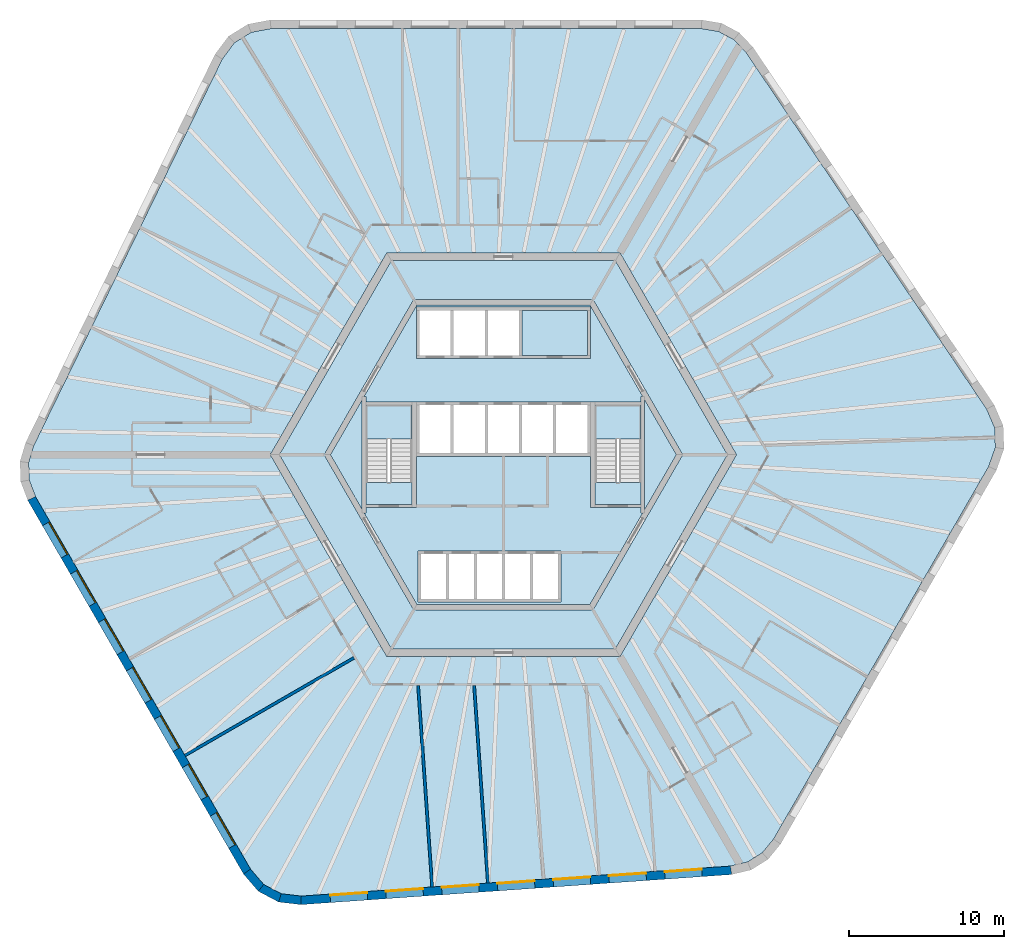
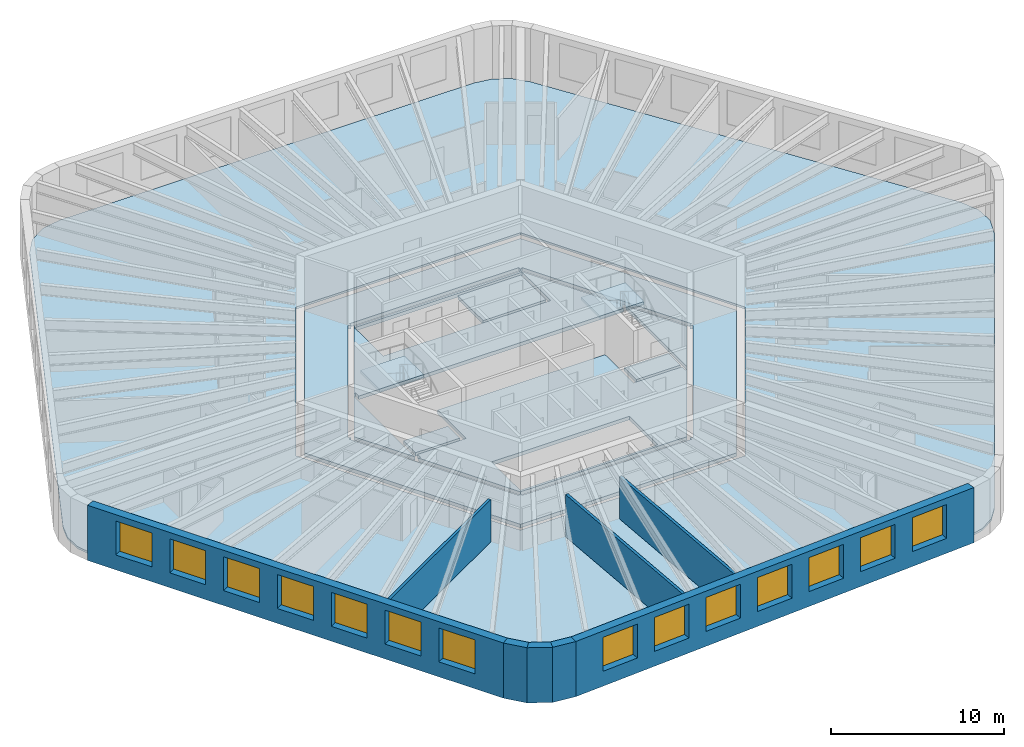
# One storey, part 2 of 10: 14 windows, 11 slabs, 8 walls, 14 openings, 2 elements without a shape of their own.
"""IFC4 building model written with IfcOpenShell, lengths in metres."""

from ifc_helpers import new_model, si_unit, direction, frame, frame_2d, origin, place, context, subcontext, project, spatial, polyline, rectangle, outline, extrude, material, layer, layer_set, type_object, element, fill, aggregate, save


model = new_model("IFC4")

# Units and contexts
model_context = context("Model", 3, precision=1e-05, world=origin(), true_north=direction((0.0, 1.0)))
body_context = subcontext(model_context, "Body", "Model", "MODEL_VIEW")
ifc_project = project(units=[si_unit("LENGTHUNIT", "METRE"), si_unit("AREAUNIT", "SQUARE_METRE"), si_unit("VOLUMEUNIT", "CUBIC_METRE"), si_unit("PLANEANGLEUNIT", "RADIAN"), si_unit("MASSUNIT", "GRAM", prefix="KILO")], contexts=[model_context])

# Site, building, storey
site_placement = place(None, origin())
site = spatial("IfcSite", under=ifc_project, at=site_placement, CompositionType="ELEMENT")
building_placement = place(site_placement, origin())
building = spatial("IfcBuilding", under=site, at=building_placement, Name="Tarnside Tower", CompositionType="ELEMENT")
storey_placement = place(building_placement, frame((0.0, 0.0, 230.699951171875)))
storey = spatial("IfcBuildingStorey", under=building, at=storey_placement, Name="L55", CompositionType="ELEMENT", Elevation=230.699951171875)

# Slabs
ifc_material_1 = material(Name="Concrete C35/45", Category="concrete")
ifc_layer_1 = layer(ifc_material_1, 0.14990234375)
ifc_layer_set_1 = layer_set([ifc_layer_1], Name="Composite floor slab 150")
slab_type_1 = type_object("IfcSlabType", Name="Composite floor slab 150", PredefinedType="FLOOR", material=ifc_layer_set_1)
slab_1_placement = place(storey_placement, frame((0.0, 0.0, -0.14990234375)))
element("IfcSlab", 1, at=slab_1_placement, inside=storey, type_object=slab_type_1, Name="Floor slab L55", PredefinedType="FLOOR", context=body_context, shape_type="SweptSolid", body=[
    extrude(outline(polyline([(13.864013671875, 27.264892578125), (14.85107421875, 26.740234375), (15.6337890625, 25.91064453125), (31.12890625, 2.938232421875), (31.644287109375, 1.7431640625), (31.68896484375, 0.468505859375), (31.258056640625, -0.759521484375), (17.403076171875, -24.7568359375), (16.68017578125, -25.63916015625), (15.732177734375, -26.2314453125), (14.622314453125, -26.494384765625), (-13.02001953125, -28.427490234375), (-14.3125, -28.2763671875), (-15.438720703125, -27.677490234375), (-16.286865234375, -26.6904296875), (-30.1416015625, -2.693115234375), (-30.544189453125, -1.6259765625), (-30.583251953125, -0.5087890625), (-30.256103515625, 0.583984375), (-18.10888671875, 25.4892578125), (-17.331787109375, 26.533203125), (-16.250244140625, 27.208984375), (-14.97119140625, 27.449951171875), (12.738525390625, 27.449951171875), (13.864013671875, 27.264892578125)]), holes=[polyline([(-15.010986328125, 0.0), (-7.505615234375, -13.0), (7.505615234375, -13.0), (15.010986328125, 0.0), (7.505615234375, 13.0), (-7.505615234375, 13.0), (-15.010986328125, 0.0)])]), origin(), (0.0, 0.0, 1.0), 0.14990234375),
])
ifc_material_2 = material(Name="Concrete C40/50", Category="concrete")
ifc_layer_2 = layer(ifc_material_2, 0.25)
ifc_layer_set_2 = layer_set([ifc_layer_2], Name="Core slab C40/50")
slab_type_2 = type_object("IfcSlabType", Name="Core slab C40/50", PredefinedType="FLOOR", material=ifc_layer_set_2)
slab_2_placement = place(storey_placement, frame((0.0, 0.0, -0.25)))
element("IfcSlab", 2, at=slab_2_placement, inside=storey, type_object=slab_type_2, Name="L55 core floor slab 1", PredefinedType="FLOOR", context=body_context, shape_type="SweptSolid", body=[
    extrude(outline(polyline([(-7.216796875, 12.5), (7.216796875, 12.5), (14.433837890625, 0.0), (7.216796875, -12.5), (-7.216796875, -12.5), (-14.433837890625, 0.0), (-7.216796875, 12.5)]), holes=[polyline([(5.823974609375, -9.91259765625), (11.49658203125, -0.08740234375), (11.344970703125, 0.0), (11.49658203125, 0.08740234375), (5.823974609375, 9.91259765625), (5.672607421875, 9.824951171875), (5.672607421875, 10.0), (-5.672607421875, 10.0), (-5.672607421875, 9.824951171875), (-5.823974609375, 9.91259765625), (-11.49658203125, 0.08740234375), (-11.344970703125, 0.0), (-11.49658203125, -0.08740234375), (-5.823974609375, -9.91259765625), (-5.672607421875, -9.824951171875), (-5.672607421875, -10.0), (5.672607421875, -10.0), (5.672607421875, -9.824951171875), (5.823974609375, -9.91259765625)])]), origin(), (0.0, 0.0, 1.0), 0.25),
])
slab_3_placement = place(storey_placement, frame((0.0, 0.0, -0.25)))
element("IfcSlab", 3, at=slab_3_placement, inside=storey, type_object=slab_type_2, Name="L55 core floor slab 2", PredefinedType="FLOOR", context=body_context, shape_type="SweptSolid", body=[
    extrude(outline(polyline([(-8.97509765625, 3.7548828125), (-5.5712890625, 9.64990234375), (5.5712890625, 9.64990234375), (8.97509765625, 3.7548828125), (8.85009765625, 3.7548828125), (8.85009765625, 3.39990234375), (5.89990234375, 3.39990234375), (5.60009765625, 3.39990234375), (5.60009765625, 3.39990234375), (-5.60009765625, 3.39990234375), (-5.89990234375, 3.39990234375), (-8.85009765625, 3.39990234375), (-8.85009765625, 3.7548828125), (-8.97509765625, 3.7548828125)]), holes=[polyline([(-5.60009765625, 6.199951171875), (5.60009765625, 6.199951171875), (5.60009765625, 6.39990234375), (5.60009765625, 9.300048828125), (5.60009765625, 9.5), (-5.60009765625, 9.5), (-5.60009765625, 9.300048828125), (-5.60009765625, 6.39990234375), (-5.60009765625, 6.199951171875)])]), origin(), (0.0, 0.0, 1.0), 0.25),
])
slab_4_placement = place(storey_placement, frame((0.0, 0.0, -0.25)))
element("IfcSlab", 4, at=slab_4_placement, inside=storey, type_object=slab_type_2, Name="L55 core floor slab 3", PredefinedType="FLOOR", context=body_context, shape_type="SweptSolid", body=[
    extrude(outline(polyline([(5.60009765625, -3.39990234375), (5.89990234375, -3.39990234375), (8.85009765625, -3.39990234375), (8.85009765625, -3.7548828125), (8.97509765625, -3.7548828125), (5.5712890625, -9.64990234375), (-5.5712890625, -9.64990234375), (-8.97509765625, -3.7548828125), (-8.85009765625, -3.7548828125), (-8.85009765625, -3.39990234375), (-5.89990234375, -3.39990234375), (-5.60009765625, -3.39990234375), (-5.60009765625, -0.10009765625), (5.60009765625, -0.10009765625), (5.60009765625, -3.39990234375)]), holes=[polyline([(-5.5, -9.300048828125), (-5.5, -9.5), (3.699951171875, -9.5), (3.699951171875, -9.300048828125), (3.699951171875, -6.39990234375), (3.699951171875, -6.199951171875), (-5.5, -6.199951171875), (-5.5, -6.39990234375), (-5.5, -9.300048828125)])]), origin(), (0.0, 0.0, 1.0), 0.25),
])
slab_5_placement = place(storey_placement, frame((0.0, 0.0, -0.25)))
element("IfcSlab", 5, at=slab_5_placement, inside=storey, type_object=slab_type_2, Name="L55 core floor slab 4", PredefinedType="FLOOR", context=body_context, shape_type="SweptSolid", body=[
    extrude(outline(polyline([(-11.142822265625, 0.0), (-9.10009765625, 3.538330078125), (-9.10009765625, -3.538330078125), (-11.142822265625, 0.0)])), origin(), (0.0, 0.0, 1.0), 0.25),
])
slab_6_placement = place(storey_placement, frame((0.0, 0.0, -0.25)))
element("IfcSlab", 6, at=slab_6_placement, inside=storey, type_object=slab_type_2, Name="L55 core floor slab 5", PredefinedType="FLOOR", context=body_context, shape_type="SweptSolid", body=[
    extrude(outline(polyline([(-8.85009765625, -1.800048828125), (-5.89990234375, -1.800048828125), (-5.89990234375, -3.199951171875), (-8.85009765625, -3.199951171875), (-8.85009765625, -1.800048828125)])), origin(), (0.0, 0.0, 1.0), 0.25),
])
slab_7_placement = place(storey_placement, frame((0.0, 0.0, -0.25)))
element("IfcSlab", 7, at=slab_7_placement, inside=storey, type_object=slab_type_2, Name="L55 core floor slab 6", PredefinedType="FLOOR", context=body_context, shape_type="SweptSolid", body=[
    extrude(outline(polyline([(5.89990234375, -3.199951171875), (5.89990234375, -1.800048828125), (8.85009765625, -1.800048828125), (8.85009765625, -3.199951171875), (5.89990234375, -3.199951171875)])), origin(), (0.0, 0.0, 1.0), 0.25),
])
slab_8_placement = place(storey_placement, frame((0.0, 0.0, -0.25)))
element("IfcSlab", 8, at=slab_8_placement, inside=storey, type_object=slab_type_2, Name="L55 core floor slab 7", PredefinedType="FLOOR", context=body_context, shape_type="SweptSolid", body=[
    extrude(outline(polyline([(9.10009765625, -3.538330078125), (9.10009765625, 3.538330078125), (11.142822265625, 0.0), (9.10009765625, -3.538330078125)])), origin(), (0.0, 0.0, 1.0), 0.25),
])
slab_9_placement = place(storey_placement, frame((0.0, 0.0, -0.25)))
element("IfcSlab", 9, at=slab_9_placement, inside=storey, type_object=slab_type_2, Name="L55 core floor slab 8", PredefinedType="FLOOR", context=body_context, shape_type="SweptSolid", body=[
    extrude(outline(polyline([(5.39990234375, 9.300048828125), (5.39990234375, 6.39990234375), (1.199951171875, 6.39990234375), (1.199951171875, 9.300048828125), (5.39990234375, 9.300048828125)])), origin(), (0.0, 0.0, 1.0), 0.25),
])

# Stair, slab
stair_type = type_object("IfcStairType", Name="Exit stair 1400 clear", PredefinedType="HALF_TURN_STAIR", material=ifc_material_2)
stair_1_placement = place(storey_placement, origin())
stair_1 = element("IfcStair", 10, at=stair_1_placement, inside=storey, type_object=stair_type, Name="L55 Exit stair 1", PredefinedType="HALF_TURN_STAIR")
ifc_layer_3 = layer(ifc_material_2, 0.199951171875)
ifc_layer_set_3 = layer_set([ifc_layer_3], Name="Stair landing 200 C40/50")
slab_type_3 = type_object("IfcSlabType", Name="Stair landing 200 C40/50", PredefinedType="LANDING", material=ifc_layer_set_3)
slab_10_placement = place(storey_placement, frame((0.0, 0.0, 1.75)))
slab_10 = element("IfcSlab", 11, at=slab_10_placement, type_object=slab_type_3, Name="ST1 landing 1", PredefinedType="LANDING", context=body_context, shape_type="SweptSolid", body=[
    extrude(outline(polyline([(8.85009765625, 1.0), (8.85009765625, 3.199951171875), (5.89990234375, 3.199951171875), (5.89990234375, 1.0), (8.85009765625, 1.0)])), origin(), (0.0, 0.0, 1.0), 0.199951171875),
])
aggregate(stair_1, [slab_10])

stair_2_placement = place(storey_placement, origin())
stair_2 = element("IfcStair", 12, at=stair_2_placement, inside=storey, type_object=stair_type, Name="L55 Exit stair 2", PredefinedType="HALF_TURN_STAIR")
slab_11_placement = place(storey_placement, frame((0.0, 0.0, 1.75)))
slab_11 = element("IfcSlab", 13, at=slab_11_placement, type_object=slab_type_3, Name="ST2 landing 1", PredefinedType="LANDING", context=body_context, shape_type="SweptSolid", body=[
    extrude(outline(polyline([(-5.89990234375, 1.0), (-5.89990234375, 3.199951171875), (-8.85009765625, 3.199951171875), (-8.85009765625, 1.0), (-5.89990234375, 1.0)])), origin(), (0.0, 0.0, 1.0), 0.199951171875),
])
aggregate(stair_2, [slab_11])

# Walls
ifc_material_3 = material(Name="Gypsum board partition on steel studs", Category="steel")
ifc_layer_4 = layer(ifc_material_3, 0.179931640625)
ifc_layer_set_4 = layer_set([ifc_layer_4], Name="Demising wall 180 EI 60")
wall_type_1 = type_object("IfcWallType", Name="Demising wall 180 EI 60", PredefinedType="PARTITIONING", material=ifc_layer_set_4)
wall_1_placement = place(storey_placement, frame((-20.513427734375, -19.36962890625, 0.0), z_axis=(0.0, 0.0, 1.0), x_axis=(0.866019402111, 0.500010395058, 0.0)))
element("IfcWall", 14, at=wall_1_placement, inside=storey, type_object=wall_type_1, Name="Demising wall 18081", PredefinedType="PARTITIONING", context=body_context, shape_type="SweptSolid", body=[
    extrude(rectangle(XDim=12.574951171875, YDim=0.179931640625, at=frame_2d((6.28759765625, 0.0))), origin(), (0.0, 0.0, 1.0), 2.98779296875),
])
wall_2_placement = place(storey_placement, frame((-4.587158203125, -27.837890625, 0.0), z_axis=(0.0, 0.0, 1.0), x_axis=(-0.069759577234, 0.997563833238, 0.0)))
element("IfcWall", 15, at=wall_2_placement, inside=storey, type_object=wall_type_1, Name="Demising wall 18082", PredefinedType="PARTITIONING", context=body_context, shape_type="SweptSolid", body=[
    extrude(rectangle(XDim=12.99462890625, YDim=0.179931640625, at=frame_2d((6.497314453125, 0.0))), origin(), (0.0, 0.0, 1.0), 2.98779296875),
])
wall_3_placement = place(storey_placement, frame((-0.99609375, -27.586669921875, 0.0), z_axis=(0.0, 0.0, 1.0), x_axis=(-0.069758774678, 0.99756388936, 0.0)))
element("IfcWall", 16, at=wall_3_placement, inside=storey, type_object=wall_type_1, Name="Demising wall 18083", PredefinedType="PARTITIONING", context=body_context, shape_type="SweptSolid", body=[
    extrude(rectangle(XDim=12.74267578125, YDim=0.179931640625, at=frame_2d((6.371337890625, 0.0))), origin(), (0.0, 0.0, 1.0), 2.98779296875),
])

# Wall, openings, windows
ifc_material_4 = material(Name="Facing brick", Category="masonry")
ifc_layer_5 = layer(ifc_material_4, 0.10205078125)
ifc_material_5 = material(Name="Concrete C60/75 precast", Category="concrete")
ifc_layer_6 = layer(ifc_material_5, 0.347900390625)
ifc_material_6 = material(Name="Mineral wool insulation")
ifc_layer_7 = layer(ifc_material_6, 0.10009765625)
ifc_layer_set_5 = layer_set([ifc_layer_5, ifc_layer_6, ifc_layer_7], Name="Tube wall 550 brick faced")
wall_type_2 = type_object("IfcWallType", Name="Tube wall 550 brick faced", PredefinedType="SOLIDWALL", material=ifc_layer_set_5)
wall_4_placement = place(storey_placement, frame((-30.39111328125, -2.81103515625, -0.14990234375), z_axis=(0.0, 0.0, 1.0), x_axis=(0.499998569178, -0.866026229868, 0.0)))
wall_4 = element("IfcWall", 17, at=wall_4_placement, inside=storey, type_object=wall_type_2, Name="Tube wall L55 F3 flush 08", PredefinedType="SOLIDWALL", context=body_context, shape_type="SweptSolid", body=[
    extrude(outline(polyline([(-0.0224609375, -0.27490234375), (27.783447265625, -0.27490234375), (27.732177734375, 0.27490234375), (0.0224609375, 0.27490234375), (-0.0224609375, -0.27490234375)])), origin(), (0.0, 0.0, 1.0), 3.89990234375),
])
opening_1_placement = place(wall_4_placement, frame((1.87890625, 0.0, 1.050048828125)))
opening_1 = element("IfcOpeningElement", 18, at=opening_1_placement, cuts=wall_4, Name="Opening WH", PredefinedType="OPENING", context=body_context, shape_type="SweptSolid", body=[
    extrude(rectangle(XDim=2.39990234375, YDim=2.39990234375, at=frame_2d((1.199951171875, 1.199951171875))), frame((0.0, 0.28515625, 0.0), z_axis=(0.0, -1.0, 0.0), x_axis=(1.0, 0.0, 0.0)), (0.0, 0.0, 1.0), 0.570068359375),
])
opening_2_placement = place(wall_4_placement, frame((5.47900390625, 0.0, 1.050048828125)))
opening_2 = element("IfcOpeningElement", 19, at=opening_2_placement, cuts=wall_4, Name="Opening WH", PredefinedType="OPENING", context=body_context, shape_type="SweptSolid", body=[
    extrude(rectangle(XDim=2.39990234375, YDim=2.39990234375, at=frame_2d((1.199951171875, 1.199951171875))), frame((0.0, 0.28515625, 0.0), z_axis=(0.0, -1.0, 0.0), x_axis=(1.0, 0.0, 0.0)), (0.0, 0.0, 1.0), 0.570068359375),
])
opening_3_placement = place(wall_4_placement, frame((9.078857421875, 0.0, 1.050048828125)))
opening_3 = element("IfcOpeningElement", 20, at=opening_3_placement, cuts=wall_4, Name="Opening WH", PredefinedType="OPENING", context=body_context, shape_type="SweptSolid", body=[
    extrude(rectangle(XDim=2.39990234375, YDim=2.39990234375, at=frame_2d((1.199951171875, 1.199951171875))), frame((0.0, 0.28515625, 0.0), z_axis=(0.0, -1.0, 0.0), x_axis=(1.0, 0.0, 0.0)), (0.0, 0.0, 1.0), 0.570068359375),
])
opening_4_placement = place(wall_4_placement, frame((12.678955078125, 0.0, 1.050048828125)))
opening_4 = element("IfcOpeningElement", 21, at=opening_4_placement, cuts=wall_4, Name="Opening WH", PredefinedType="OPENING", context=body_context, shape_type="SweptSolid", body=[
    extrude(rectangle(XDim=2.39990234375, YDim=2.39990234375, at=frame_2d((1.199951171875, 1.199951171875))), frame((0.0, 0.28515625, 0.0), z_axis=(0.0, -1.0, 0.0), x_axis=(1.0, 0.0, 0.0)), (0.0, 0.0, 1.0), 0.570068359375),
])
opening_5_placement = place(wall_4_placement, frame((16.27880859375, 0.0, 1.050048828125)))
opening_5 = element("IfcOpeningElement", 22, at=opening_5_placement, cuts=wall_4, Name="Opening WH", PredefinedType="OPENING", context=body_context, shape_type="SweptSolid", body=[
    extrude(rectangle(XDim=2.39990234375, YDim=2.39990234375, at=frame_2d((1.199951171875, 1.199951171875))), frame((0.0, 0.28515625, 0.0), z_axis=(0.0, -1.0, 0.0), x_axis=(1.0, 0.0, 0.0)), (0.0, 0.0, 1.0), 0.570068359375),
])
opening_6_placement = place(wall_4_placement, frame((19.87890625, 0.0, 1.050048828125)))
opening_6 = element("IfcOpeningElement", 23, at=opening_6_placement, cuts=wall_4, Name="Opening WH", PredefinedType="OPENING", context=body_context, shape_type="SweptSolid", body=[
    extrude(rectangle(XDim=2.39990234375, YDim=2.39990234375, at=frame_2d((1.199951171875, 1.199951171875))), frame((0.0, 0.28515625, 0.0), z_axis=(0.0, -1.0, 0.0), x_axis=(1.0, 0.0, 0.0)), (0.0, 0.0, 1.0), 0.570068359375),
])
opening_7_placement = place(wall_4_placement, frame((23.47900390625, 0.0, 1.050048828125)))
opening_7 = element("IfcOpeningElement", 24, at=opening_7_placement, cuts=wall_4, Name="Opening WH", PredefinedType="OPENING", context=body_context, shape_type="SweptSolid", body=[
    extrude(rectangle(XDim=2.39990234375, YDim=2.39990234375, at=frame_2d((1.199951171875, 1.199951171875))), frame((0.0, 0.28515625, 0.0), z_axis=(0.0, -1.0, 0.0), x_axis=(1.0, 0.0, 0.0)), (0.0, 0.0, 1.0), 0.570068359375),
])
ifc_material_7 = material(Name="Aluminium-framed double glazing", Category="aluminium")
window_type = type_object("IfcWindowType", Name="Hotel window 2400 x 2400", PartitioningType="DOUBLE_PANEL_VERTICAL", PredefinedType="WINDOW", material=ifc_material_7)
window_1_placement = place(opening_1_placement, frame((0.0, 0.205078125, 0.0)))
window_1 = element("IfcWindow", 25, at=window_1_placement, inside=storey, type_object=window_type, Name="E.WN.L55.F3.00", OverallHeight=2.39990234375, OverallWidth=2.39990234375, PartitioningType="DOUBLE_PANEL_VERTICAL", PredefinedType="WINDOW", context=body_context, shape_type="SweptSolid", body=[
    extrude(rectangle(XDim=2.39990234375, YDim=2.39990234375, at=frame_2d((1.199951171875, 1.199951171875))), frame((0.0, 0.030029296875, 0.0), z_axis=(0.0, -1.0, 0.0), x_axis=(1.0, 0.0, 0.0)), (0.0, 0.0, 1.0), 0.06005859375),
])
fill(opening_1, window_1)
window_2_placement = place(opening_2_placement, frame((0.0, 0.205078125, 0.0)))
window_2 = element("IfcWindow", 26, at=window_2_placement, inside=storey, type_object=window_type, Name="E.WN.L55.F3.01", OverallHeight=2.39990234375, OverallWidth=2.39990234375, PartitioningType="DOUBLE_PANEL_VERTICAL", PredefinedType="WINDOW", context=body_context, shape_type="SweptSolid", body=[
    extrude(rectangle(XDim=2.39990234375, YDim=2.39990234375, at=frame_2d((1.199951171875, 1.199951171875))), frame((0.0, 0.030029296875, 0.0), z_axis=(0.0, -1.0, 0.0), x_axis=(1.0, 0.0, 0.0)), (0.0, 0.0, 1.0), 0.06005859375),
])
fill(opening_2, window_2)
window_3_placement = place(opening_3_placement, frame((0.0, 0.205078125, 0.0)))
window_3 = element("IfcWindow", 27, at=window_3_placement, inside=storey, type_object=window_type, Name="E.WN.L55.F3.02", OverallHeight=2.39990234375, OverallWidth=2.39990234375, PartitioningType="DOUBLE_PANEL_VERTICAL", PredefinedType="WINDOW", context=body_context, shape_type="SweptSolid", body=[
    extrude(rectangle(XDim=2.39990234375, YDim=2.39990234375, at=frame_2d((1.199951171875, 1.199951171875))), frame((0.0, 0.030029296875, 0.0), z_axis=(0.0, -1.0, 0.0), x_axis=(1.0, 0.0, 0.0)), (0.0, 0.0, 1.0), 0.06005859375),
])
fill(opening_3, window_3)
window_4_placement = place(opening_4_placement, frame((0.0, 0.205078125, 0.0)))
window_4 = element("IfcWindow", 28, at=window_4_placement, inside=storey, type_object=window_type, Name="E.WN.L55.F3.03", OverallHeight=2.39990234375, OverallWidth=2.39990234375, PartitioningType="DOUBLE_PANEL_VERTICAL", PredefinedType="WINDOW", context=body_context, shape_type="SweptSolid", body=[
    extrude(rectangle(XDim=2.39990234375, YDim=2.39990234375, at=frame_2d((1.199951171875, 1.199951171875))), frame((0.0, 0.030029296875, 0.0), z_axis=(0.0, -1.0, 0.0), x_axis=(1.0, 0.0, 0.0)), (0.0, 0.0, 1.0), 0.06005859375),
])
fill(opening_4, window_4)
window_5_placement = place(opening_5_placement, frame((0.0, 0.205078125, 0.0)))
window_5 = element("IfcWindow", 29, at=window_5_placement, inside=storey, type_object=window_type, Name="E.WN.L55.F3.04", OverallHeight=2.39990234375, OverallWidth=2.39990234375, PartitioningType="DOUBLE_PANEL_VERTICAL", PredefinedType="WINDOW", context=body_context, shape_type="SweptSolid", body=[
    extrude(rectangle(XDim=2.39990234375, YDim=2.39990234375, at=frame_2d((1.199951171875, 1.199951171875))), frame((0.0, 0.030029296875, 0.0), z_axis=(0.0, -1.0, 0.0), x_axis=(1.0, 0.0, 0.0)), (0.0, 0.0, 1.0), 0.06005859375),
])
fill(opening_5, window_5)
window_6_placement = place(opening_6_placement, frame((0.0, 0.205078125, 0.0)))
window_6 = element("IfcWindow", 30, at=window_6_placement, inside=storey, type_object=window_type, Name="E.WN.L55.F3.05", OverallHeight=2.39990234375, OverallWidth=2.39990234375, PartitioningType="DOUBLE_PANEL_VERTICAL", PredefinedType="WINDOW", context=body_context, shape_type="SweptSolid", body=[
    extrude(rectangle(XDim=2.39990234375, YDim=2.39990234375, at=frame_2d((1.199951171875, 1.199951171875))), frame((0.0, 0.030029296875, 0.0), z_axis=(0.0, -1.0, 0.0), x_axis=(1.0, 0.0, 0.0)), (0.0, 0.0, 1.0), 0.06005859375),
])
fill(opening_6, window_6)
window_7_placement = place(opening_7_placement, frame((0.0, 0.205078125, 0.0)))
window_7 = element("IfcWindow", 31, at=window_7_placement, inside=storey, type_object=window_type, Name="E.WN.L55.F3.06", OverallHeight=2.39990234375, OverallWidth=2.39990234375, PartitioningType="DOUBLE_PANEL_VERTICAL", PredefinedType="WINDOW", context=body_context, shape_type="SweptSolid", body=[
    extrude(rectangle(XDim=2.39990234375, YDim=2.39990234375, at=frame_2d((1.199951171875, 1.199951171875))), frame((0.0, 0.030029296875, 0.0), z_axis=(0.0, -1.0, 0.0), x_axis=(1.0, 0.0, 0.0)), (0.0, 0.0, 1.0), 0.06005859375),
])
fill(opening_7, window_7)

# Walls
wall_5_placement = place(storey_placement, frame((-16.51220703125, -26.85009765625, -0.14990234375), z_axis=(0.0, 0.0, 1.0), x_axis=(0.651621950847, -0.758543890078, 0.0)))
element("IfcWall", 32, at=wall_5_placement, inside=storey, type_object=wall_type_2, Name="Tube wall L55 F3 chord 09", PredefinedType="SOLIDWALL", context=body_context, shape_type="SweptSolid", body=[
    extrude(outline(polyline([(-0.025634765625, -0.27490234375), (1.430908203125, -0.27490234375), (1.327392578125, 0.27490234375), (0.025634765625, 0.27490234375), (-0.025634765625, -0.27490234375)])), origin(), (0.0, 0.0, 1.0), 3.89990234375),
])
wall_6_placement = place(storey_placement, frame((-15.613525390625, -27.896240234375, -0.14990234375), z_axis=(0.0, 0.0, 1.0), x_axis=(0.882994189209, -0.469383917304, 0.0)))
element("IfcWall", 33, at=wall_6_placement, inside=storey, type_object=wall_type_2, Name="Tube wall L55 F3 chord 10", PredefinedType="SOLIDWALL", context=body_context, shape_type="SweptSolid", body=[
    extrude(outline(polyline([(-0.0517578125, -0.27490234375), (1.4306640625, -0.27490234375), (1.3271484375, 0.27490234375), (0.0517578125, 0.27490234375), (-0.0517578125, -0.27490234375)])), origin(), (0.0, 0.0, 1.0), 3.89990234375),
])
wall_7_placement = place(storey_placement, frame((-14.39599609375, -28.54345703125, -0.14990234375), z_axis=(0.0, 0.0, 1.0), x_axis=(0.993232537394, -0.11614269956, 0.0)))
element("IfcWall", 34, at=wall_7_placement, inside=storey, type_object=wall_type_2, Name="Tube wall L55 F3 chord 11", PredefinedType="SOLIDWALL", context=body_context, shape_type="SweptSolid", body=[
    extrude(outline(polyline([(-0.0517578125, -0.27490234375), (1.404541015625, -0.27490234375), (1.353271484375, 0.27490234375), (0.0517578125, 0.27490234375), (-0.0517578125, -0.27490234375)])), origin(), (0.0, 0.0, 1.0), 3.89990234375),
])

# Wall, openings, windows
wall_8_placement = place(storey_placement, frame((-13.0263671875, -28.70361328125, -0.14990234375), z_axis=(0.0, 0.0, 1.0), x_axis=(0.99756406806, 0.069756219185, 0.0)))
wall_8 = element("IfcWall", 35, at=wall_8_placement, inside=storey, type_object=wall_type_2, Name="Tube wall L55 F4 flush 12", PredefinedType="SOLIDWALL", context=body_context, shape_type="SweptSolid", body=[
    extrude(outline(polyline([(-0.025634765625, -0.27490234375), (27.7802734375, -0.27490234375), (27.7353515625, 0.27490234375), (0.025634765625, 0.27490234375), (-0.025634765625, -0.27490234375)])), origin(), (0.0, 0.0, 1.0), 3.89990234375),
])
opening_8_placement = place(wall_8_placement, frame((1.87890625, 0.0, 1.050048828125)))
opening_8 = element("IfcOpeningElement", 36, at=opening_8_placement, cuts=wall_8, Name="Opening WH", PredefinedType="OPENING", context=body_context, shape_type="SweptSolid", body=[
    extrude(rectangle(XDim=2.39990234375, YDim=2.39990234375, at=frame_2d((1.199951171875, 1.199951171875))), frame((0.0, 0.28515625, 0.0), z_axis=(0.0, -1.0, 0.0), x_axis=(1.0, 0.0, 0.0)), (0.0, 0.0, 1.0), 0.570068359375),
])
opening_9_placement = place(wall_8_placement, frame((5.47900390625, 0.0, 1.050048828125)))
opening_9 = element("IfcOpeningElement", 37, at=opening_9_placement, cuts=wall_8, Name="Opening WH", PredefinedType="OPENING", context=body_context, shape_type="SweptSolid", body=[
    extrude(rectangle(XDim=2.39990234375, YDim=2.39990234375, at=frame_2d((1.199951171875, 1.199951171875))), frame((0.0, 0.28515625, 0.0), z_axis=(0.0, -1.0, 0.0), x_axis=(1.0, 0.0, 0.0)), (0.0, 0.0, 1.0), 0.570068359375),
])
opening_10_placement = place(wall_8_placement, frame((9.078857421875, 0.0, 1.050048828125)))
opening_10 = element("IfcOpeningElement", 38, at=opening_10_placement, cuts=wall_8, Name="Opening WH", PredefinedType="OPENING", context=body_context, shape_type="SweptSolid", body=[
    extrude(rectangle(XDim=2.39990234375, YDim=2.39990234375, at=frame_2d((1.199951171875, 1.199951171875))), frame((0.0, 0.28515625, 0.0), z_axis=(0.0, -1.0, 0.0), x_axis=(1.0, 0.0, 0.0)), (0.0, 0.0, 1.0), 0.570068359375),
])
opening_11_placement = place(wall_8_placement, frame((12.678955078125, 0.0, 1.050048828125)))
opening_11 = element("IfcOpeningElement", 39, at=opening_11_placement, cuts=wall_8, Name="Opening WH", PredefinedType="OPENING", context=body_context, shape_type="SweptSolid", body=[
    extrude(rectangle(XDim=2.39990234375, YDim=2.39990234375, at=frame_2d((1.199951171875, 1.199951171875))), frame((0.0, 0.28515625, 0.0), z_axis=(0.0, -1.0, 0.0), x_axis=(1.0, 0.0, 0.0)), (0.0, 0.0, 1.0), 0.570068359375),
])
opening_12_placement = place(wall_8_placement, frame((16.27880859375, 0.0, 1.050048828125)))
opening_12 = element("IfcOpeningElement", 40, at=opening_12_placement, cuts=wall_8, Name="Opening WH", PredefinedType="OPENING", context=body_context, shape_type="SweptSolid", body=[
    extrude(rectangle(XDim=2.39990234375, YDim=2.39990234375, at=frame_2d((1.199951171875, 1.199951171875))), frame((0.0, 0.28515625, 0.0), z_axis=(0.0, -1.0, 0.0), x_axis=(1.0, 0.0, 0.0)), (0.0, 0.0, 1.0), 0.570068359375),
])
opening_13_placement = place(wall_8_placement, frame((19.87890625, 0.0, 1.050048828125)))
opening_13 = element("IfcOpeningElement", 41, at=opening_13_placement, cuts=wall_8, Name="Opening WH", PredefinedType="OPENING", context=body_context, shape_type="SweptSolid", body=[
    extrude(rectangle(XDim=2.39990234375, YDim=2.39990234375, at=frame_2d((1.199951171875, 1.199951171875))), frame((0.0, 0.28515625, 0.0), z_axis=(0.0, -1.0, 0.0), x_axis=(1.0, 0.0, 0.0)), (0.0, 0.0, 1.0), 0.570068359375),
])
opening_14_placement = place(wall_8_placement, frame((23.47900390625, 0.0, 1.050048828125)))
opening_14 = element("IfcOpeningElement", 42, at=opening_14_placement, cuts=wall_8, Name="Opening WH", PredefinedType="OPENING", context=body_context, shape_type="SweptSolid", body=[
    extrude(rectangle(XDim=2.39990234375, YDim=2.39990234375, at=frame_2d((1.199951171875, 1.199951171875))), frame((0.0, 0.28515625, 0.0), z_axis=(0.0, -1.0, 0.0), x_axis=(1.0, 0.0, 0.0)), (0.0, 0.0, 1.0), 0.570068359375),
])
window_8_placement = place(opening_8_placement, frame((0.0, 0.205078125, 0.0)))
window_8 = element("IfcWindow", 43, at=window_8_placement, inside=storey, type_object=window_type, Name="E.WN.L55.F4.00", OverallHeight=2.39990234375, OverallWidth=2.39990234375, PartitioningType="DOUBLE_PANEL_VERTICAL", PredefinedType="WINDOW", context=body_context, shape_type="SweptSolid", body=[
    extrude(rectangle(XDim=2.39990234375, YDim=2.39990234375, at=frame_2d((1.199951171875, 1.199951171875))), frame((0.0, 0.030029296875, 0.0), z_axis=(0.0, -1.0, 0.0), x_axis=(1.0, 0.0, 0.0)), (0.0, 0.0, 1.0), 0.06005859375),
])
fill(opening_8, window_8)
window_9_placement = place(opening_9_placement, frame((0.0, 0.205078125, 0.0)))
window_9 = element("IfcWindow", 44, at=window_9_placement, inside=storey, type_object=window_type, Name="E.WN.L55.F4.01", OverallHeight=2.39990234375, OverallWidth=2.39990234375, PartitioningType="DOUBLE_PANEL_VERTICAL", PredefinedType="WINDOW", context=body_context, shape_type="SweptSolid", body=[
    extrude(rectangle(XDim=2.39990234375, YDim=2.39990234375, at=frame_2d((1.199951171875, 1.199951171875))), frame((0.0, 0.030029296875, 0.0), z_axis=(0.0, -1.0, 0.0), x_axis=(1.0, 0.0, 0.0)), (0.0, 0.0, 1.0), 0.06005859375),
])
fill(opening_9, window_9)
window_10_placement = place(opening_10_placement, frame((0.0, 0.205078125, 0.0)))
window_10 = element("IfcWindow", 45, at=window_10_placement, inside=storey, type_object=window_type, Name="E.WN.L55.F4.02", OverallHeight=2.39990234375, OverallWidth=2.39990234375, PartitioningType="DOUBLE_PANEL_VERTICAL", PredefinedType="WINDOW", context=body_context, shape_type="SweptSolid", body=[
    extrude(rectangle(XDim=2.39990234375, YDim=2.39990234375, at=frame_2d((1.199951171875, 1.199951171875))), frame((0.0, 0.030029296875, 0.0), z_axis=(0.0, -1.0, 0.0), x_axis=(1.0, 0.0, 0.0)), (0.0, 0.0, 1.0), 0.06005859375),
])
fill(opening_10, window_10)
window_11_placement = place(opening_11_placement, frame((0.0, 0.205078125, 0.0)))
window_11 = element("IfcWindow", 46, at=window_11_placement, inside=storey, type_object=window_type, Name="E.WN.L55.F4.03", OverallHeight=2.39990234375, OverallWidth=2.39990234375, PartitioningType="DOUBLE_PANEL_VERTICAL", PredefinedType="WINDOW", context=body_context, shape_type="SweptSolid", body=[
    extrude(rectangle(XDim=2.39990234375, YDim=2.39990234375, at=frame_2d((1.199951171875, 1.199951171875))), frame((0.0, 0.030029296875, 0.0), z_axis=(0.0, -1.0, 0.0), x_axis=(1.0, 0.0, 0.0)), (0.0, 0.0, 1.0), 0.06005859375),
])
fill(opening_11, window_11)
window_12_placement = place(opening_12_placement, frame((0.0, 0.205078125, 0.0)))
window_12 = element("IfcWindow", 47, at=window_12_placement, inside=storey, type_object=window_type, Name="E.WN.L55.F4.04", OverallHeight=2.39990234375, OverallWidth=2.39990234375, PartitioningType="DOUBLE_PANEL_VERTICAL", PredefinedType="WINDOW", context=body_context, shape_type="SweptSolid", body=[
    extrude(rectangle(XDim=2.39990234375, YDim=2.39990234375, at=frame_2d((1.199951171875, 1.199951171875))), frame((0.0, 0.030029296875, 0.0), z_axis=(0.0, -1.0, 0.0), x_axis=(1.0, 0.0, 0.0)), (0.0, 0.0, 1.0), 0.06005859375),
])
fill(opening_12, window_12)
window_13_placement = place(opening_13_placement, frame((0.0, 0.205078125, 0.0)))
window_13 = element("IfcWindow", 48, at=window_13_placement, inside=storey, type_object=window_type, Name="E.WN.L55.F4.05", OverallHeight=2.39990234375, OverallWidth=2.39990234375, PartitioningType="DOUBLE_PANEL_VERTICAL", PredefinedType="WINDOW", context=body_context, shape_type="SweptSolid", body=[
    extrude(rectangle(XDim=2.39990234375, YDim=2.39990234375, at=frame_2d((1.199951171875, 1.199951171875))), frame((0.0, 0.030029296875, 0.0), z_axis=(0.0, -1.0, 0.0), x_axis=(1.0, 0.0, 0.0)), (0.0, 0.0, 1.0), 0.06005859375),
])
fill(opening_13, window_13)
window_14_placement = place(opening_14_placement, frame((0.0, 0.205078125, 0.0)))
window_14 = element("IfcWindow", 49, at=window_14_placement, inside=storey, type_object=window_type, Name="E.WN.L55.F4.06", OverallHeight=2.39990234375, OverallWidth=2.39990234375, PartitioningType="DOUBLE_PANEL_VERTICAL", PredefinedType="WINDOW", context=body_context, shape_type="SweptSolid", body=[
    extrude(rectangle(XDim=2.39990234375, YDim=2.39990234375, at=frame_2d((1.199951171875, 1.199951171875))), frame((0.0, 0.030029296875, 0.0), z_axis=(0.0, -1.0, 0.0), x_axis=(1.0, 0.0, 0.0)), (0.0, 0.0, 1.0), 0.06005859375),
])
fill(opening_14, window_14)

save(model, "model.ifc")
